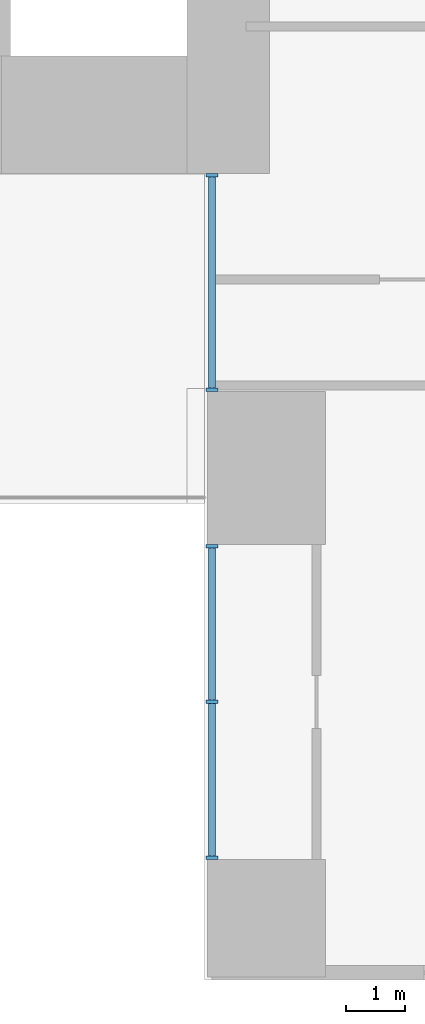
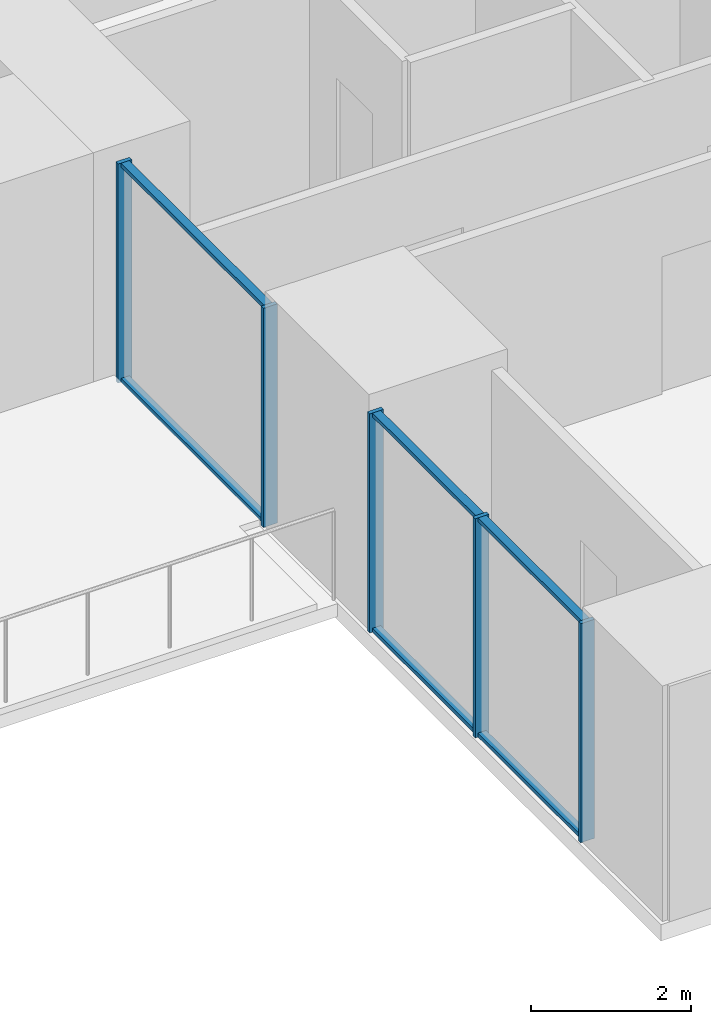
# One storey, part 3 of 20: 11 members, 2 elements without a shape of their own.
"""IFC4 building model written with IfcOpenShell, lengths in metres."""

from ifc_helpers import new_model, si_unit, direction, frame, origin, origin_2d, place, context, subcontext, project, spatial, rectangle, extrude, material, layer, layer_set, material_profile, profile_set, type_object, element, aggregate, save


model = new_model("IFC4")

# Units and contexts
model_context = context("Model", 3, precision=1e-05, world=origin(), true_north=direction((0.0, 1.0)))
body_context = subcontext(model_context, "Body", "Model", "MODEL_VIEW")
ifc_project = project(units=[si_unit("LENGTHUNIT", "METRE"), si_unit("AREAUNIT", "SQUARE_METRE"), si_unit("VOLUMEUNIT", "CUBIC_METRE"), si_unit("PLANEANGLEUNIT", "RADIAN"), si_unit("MASSUNIT", "GRAM", prefix="KILO")], contexts=[model_context])

# Site, building, storey
site_placement = place(None, origin())
site = spatial("IfcSite", under=ifc_project, at=site_placement, CompositionType="ELEMENT")
building_placement = place(site_placement, origin())
building = spatial("IfcBuilding", under=site, at=building_placement, Name="Cleftline Residences", CompositionType="ELEMENT")
storey_placement = place(building_placement, frame((0.0, 0.0, 182.199951171875)))
storey = spatial("IfcBuildingStorey", under=building, at=storey_placement, Name="L47", CompositionType="ELEMENT", Elevation=182.199951171875)

# Curtain wall, members
ifc_material_1 = material(Name="Aluminium framed curtain wall", Category="aluminium")
ifc_layer = layer(ifc_material_1, 0.199951171875)
ifc_layer_set = layer_set([ifc_layer], Name="CW1 CLEFT GLAZING")
curtain_wall_type = type_object("IfcCurtainWallType", Name="CW1 CLEFT GLAZING", PredefinedType="NOTDEFINED", material=ifc_layer_set)
curtain_wall_1_placement = place(storey_placement, origin())
curtain_wall_1 = element("IfcCurtainWall", 1, at=curtain_wall_1_placement, inside=storey, type_object=curtain_wall_type, Name="Curtain wall CW1", PredefinedType="NOTDEFINED")
ifc_material_2 = material(Name="Aluminium mullion", Category="aluminium")
ifc_material_profile_1 = material_profile(ifc_material_2, rectangle(XDim=0.199951171875, YDim=0.06005859375, at=origin_2d()))
ifc_profile_set_1 = profile_set([ifc_material_profile_1], Name="Aluminium mullion")
member_type_1 = type_object("IfcMemberType", Name="CW1 MULLION", PredefinedType="MULLION", material=ifc_profile_set_1)
member_1_placement = place(storey_placement, frame((41.425048828125, 12.969970703125, 0.0), z_axis=(0.0, 0.0, 1.0), x_axis=(1.0, 0.0, 0.0)))
member_1 = element("IfcMember", 2, at=member_1_placement, type_object=member_type_1, Name="CW1 mullion 1", PredefinedType="MULLION", context=body_context, shape_type="SweptSolid", body=[
    extrude(rectangle(XDim=0.199951171875, YDim=0.06005859375, at=origin_2d()), origin(), (0.0, 0.0, 1.0), 3.35009765625),
])
member_2_placement = place(storey_placement, frame((41.425048828125, 9.330078125, 0.0), z_axis=(0.0, 0.0, 1.0), x_axis=(1.0, 0.0, 0.0)))
member_2 = element("IfcMember", 3, at=member_2_placement, type_object=member_type_1, Name="CW1 mullion 2", PredefinedType="MULLION", context=body_context, shape_type="SweptSolid", body=[
    extrude(rectangle(XDim=0.199951171875, YDim=0.06005859375, at=origin_2d()), origin(), (0.0, 0.0, 1.0), 3.35009765625),
])

curtain_wall_2_placement = place(storey_placement, origin())
curtain_wall_2 = element("IfcCurtainWall", 4, at=curtain_wall_2_placement, inside=storey, type_object=curtain_wall_type, Name="Curtain wall CW1", PredefinedType="NOTDEFINED")
member_3_placement = place(storey_placement, frame((41.425048828125, 6.669921875, 0.0), z_axis=(0.0, 0.0, 1.0), x_axis=(1.0, 0.0, 0.0)))
member_3 = element("IfcMember", 5, at=member_3_placement, type_object=member_type_1, Name="CW1 mullion 1", PredefinedType="MULLION", context=body_context, shape_type="SweptSolid", body=[
    extrude(rectangle(XDim=0.199951171875, YDim=0.06005859375, at=origin_2d()), origin(), (0.0, 0.0, 1.0), 3.35009765625),
])
member_4_placement = place(storey_placement, frame((41.425048828125, 4.02490234375, 0.0), z_axis=(0.0, 0.0, 1.0), x_axis=(1.0, 0.0, 0.0)))
member_4 = element("IfcMember", 6, at=member_4_placement, type_object=member_type_1, Name="CW1 mullion 2", PredefinedType="MULLION", context=body_context, shape_type="SweptSolid", body=[
    extrude(rectangle(XDim=0.199951171875, YDim=0.06005859375, at=origin_2d()), origin(), (0.0, 0.0, 1.0), 3.35009765625),
])
member_5_placement = place(storey_placement, frame((41.425048828125, 1.3798828125, 0.0), z_axis=(0.0, 0.0, 1.0), x_axis=(1.0, 0.0, 0.0)))
member_5 = element("IfcMember", 7, at=member_5_placement, type_object=member_type_1, Name="CW1 mullion 3", PredefinedType="MULLION", context=body_context, shape_type="SweptSolid", body=[
    extrude(rectangle(XDim=0.199951171875, YDim=0.06005859375, at=origin_2d()), origin(), (0.0, 0.0, 1.0), 3.35009765625),
])

# Member
ifc_material_3 = material(Name="Aluminium transom", Category="aluminium")
ifc_material_profile_2 = material_profile(ifc_material_3, rectangle(XDim=0.1201171875, YDim=0.06005859375, at=origin_2d()))
ifc_profile_set_2 = profile_set([ifc_material_profile_2], Name="Aluminium transom")
member_type_2 = type_object("IfcMemberType", Name="CW1 TRANSOM", PredefinedType="USERDEFINED", material=ifc_profile_set_2)
member_6_placement = place(storey_placement, frame((41.425048828125, 12.93994140625, 0.030029296875), z_axis=(0.0, -1.0, 0.0), x_axis=(1.0, 0.0, 0.0)))
member_6 = element("IfcMember", 8, at=member_6_placement, type_object=member_type_2, Name="CW1 transom 1.1", ObjectType="TRANSOM", PredefinedType="USERDEFINED", context=body_context, shape_type="SweptSolid", body=[
    extrude(rectangle(XDim=0.1201171875, YDim=0.06005859375, at=origin_2d()), origin(), (0.0, 0.0, 1.0), 3.579833984375),
])

member_7_placement = place(storey_placement, frame((41.425048828125, 12.93994140625, 3.320068359375), z_axis=(0.0, -1.0, 0.0), x_axis=(1.0, 0.0, 0.0)))
member_7 = element("IfcMember", 9, at=member_7_placement, type_object=member_type_2, Name="CW1 transom 1.2", ObjectType="TRANSOM", PredefinedType="USERDEFINED", context=body_context, shape_type="SweptSolid", body=[
    extrude(rectangle(XDim=0.1201171875, YDim=0.06005859375, at=origin_2d()), origin(), (0.0, 0.0, 1.0), 3.579833984375),
])

aggregate(curtain_wall_1, [member_1, member_2, member_6, member_7])

member_8_placement = place(storey_placement, frame((41.425048828125, 6.639892578125, 0.030029296875), z_axis=(0.0, -1.0, 0.0), x_axis=(1.0, 0.0, 0.0)))
member_8 = element("IfcMember", 10, at=member_8_placement, type_object=member_type_2, Name="CW1 transom 1.1", ObjectType="TRANSOM", PredefinedType="USERDEFINED", context=body_context, shape_type="SweptSolid", body=[
    extrude(rectangle(XDim=0.1201171875, YDim=0.06005859375, at=origin_2d()), origin(), (0.0, 0.0, 1.0), 2.5849609375),
])

member_9_placement = place(storey_placement, frame((41.425048828125, 6.639892578125, 3.320068359375), z_axis=(0.0, -1.0, 0.0), x_axis=(1.0, 0.0, 0.0)))
member_9 = element("IfcMember", 11, at=member_9_placement, type_object=member_type_2, Name="CW1 transom 1.2", ObjectType="TRANSOM", PredefinedType="USERDEFINED", context=body_context, shape_type="SweptSolid", body=[
    extrude(rectangle(XDim=0.1201171875, YDim=0.06005859375, at=origin_2d()), origin(), (0.0, 0.0, 1.0), 2.5849609375),
])

member_10_placement = place(storey_placement, frame((41.425048828125, 3.9951171875, 0.030029296875), z_axis=(0.0, -1.0, 0.0), x_axis=(1.0, 0.0, 0.0)))
member_10 = element("IfcMember", 12, at=member_10_placement, type_object=member_type_2, Name="CW1 transom 2.1", ObjectType="TRANSOM", PredefinedType="USERDEFINED", context=body_context, shape_type="SweptSolid", body=[
    extrude(rectangle(XDim=0.1201171875, YDim=0.06005859375, at=origin_2d()), origin(), (0.0, 0.0, 1.0), 2.585205078125),
])

member_11_placement = place(storey_placement, frame((41.425048828125, 3.9951171875, 3.320068359375), z_axis=(0.0, -1.0, 0.0), x_axis=(1.0, 0.0, 0.0)))
member_11 = element("IfcMember", 13, at=member_11_placement, type_object=member_type_2, Name="CW1 transom 2.2", ObjectType="TRANSOM", PredefinedType="USERDEFINED", context=body_context, shape_type="SweptSolid", body=[
    extrude(rectangle(XDim=0.1201171875, YDim=0.06005859375, at=origin_2d()), origin(), (0.0, 0.0, 1.0), 2.585205078125),
])

aggregate(curtain_wall_2, [member_3, member_4, member_5, member_8, member_9, member_10, member_11])

save(model, "model.ifc")
